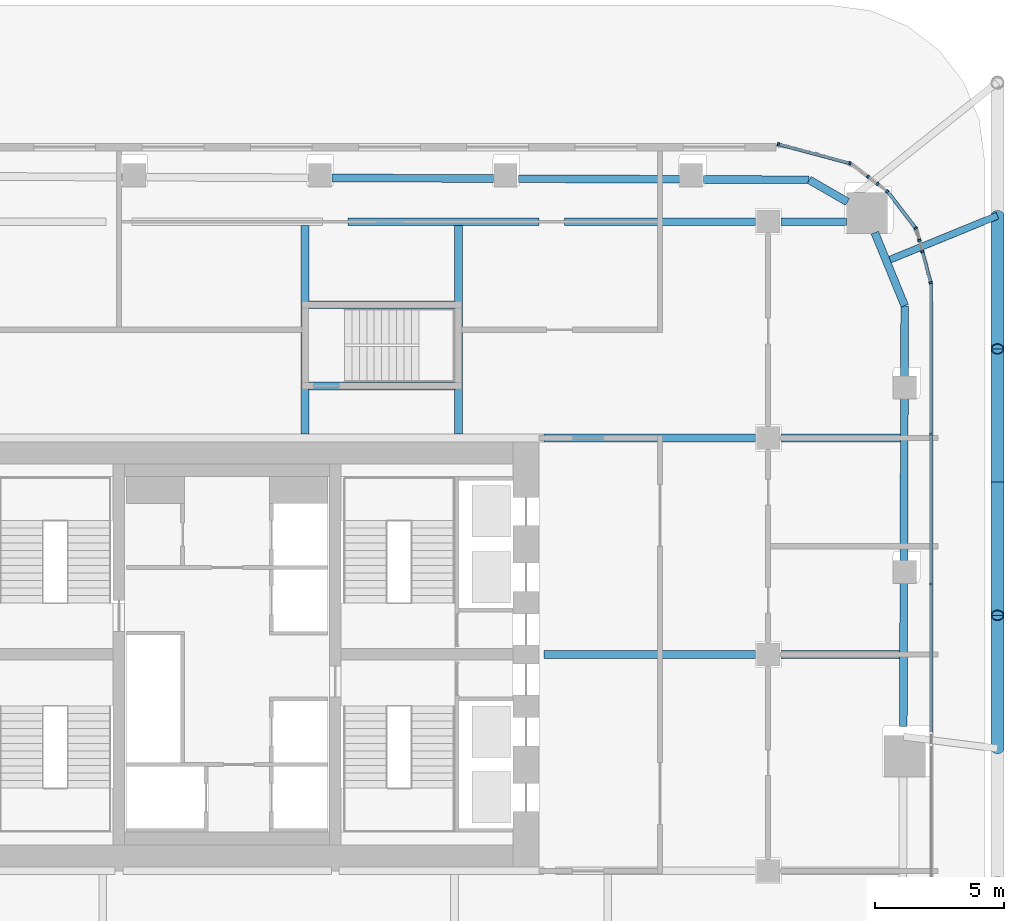
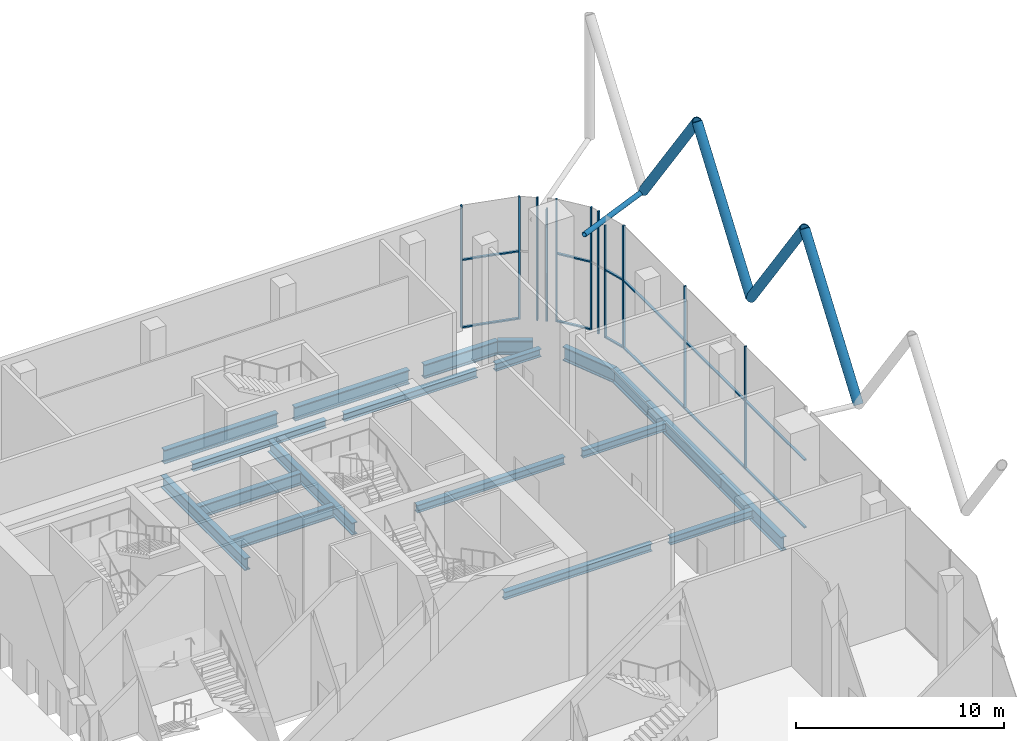
# One storey, part 11 of 34: 28 members, 19 beams, 9 elements without a shape of their own.
"""IFC4 building model written with IfcOpenShell, lengths in metres."""

from ifc_helpers import new_model, si_unit, direction, frame, origin, origin_2d, place, context, subcontext, project, spatial, rectangle, hollow_circle, i_section, extrude, material, layer, layer_set, material_profile, profile_set, type_object, element, aggregate, save


model = new_model("IFC4")

# Units and contexts
model_context = context("Model", 3, precision=1e-05, world=origin(), true_north=direction((0.0, 1.0)))
body_context = subcontext(model_context, "Body", "Model", "MODEL_VIEW")
ifc_project = project(units=[si_unit("LENGTHUNIT", "METRE"), si_unit("AREAUNIT", "SQUARE_METRE"), si_unit("VOLUMEUNIT", "CUBIC_METRE"), si_unit("PLANEANGLEUNIT", "RADIAN"), si_unit("MASSUNIT", "GRAM", prefix="KILO")], contexts=[model_context])

# Site, building, storey
site_placement = place(None, origin())
site = spatial("IfcSite", under=ifc_project, at=site_placement, CompositionType="ELEMENT")
building_placement = place(site_placement, origin())
building = spatial("IfcBuilding", under=site, at=building_placement, Name="Marenta Gate Hotel Tower", CompositionType="ELEMENT")
storey_placement = place(building_placement, frame((0.0, 0.0, 97.699951171875)))
storey = spatial("IfcBuildingStorey", under=building, at=storey_placement, Name="L21", CompositionType="ELEMENT", Elevation=97.699951171875)

# Members
ifc_material_1 = material(Name="Steel S355J2W", Category="steel")
ifc_material_profile_1 = material_profile(ifc_material_1, hollow_circle(Radius=0.25390625, WallThickness=0.0400390625, at=origin_2d()), Name="CHS 508x40")
ifc_profile_set_1 = profile_set([ifc_material_profile_1], Name="Steel S355J2W")
member_type_1 = type_object("IfcMemberType", Name="Diagrid diagonal Z2 CHS 508x40", PredefinedType="BRACE", material=ifc_profile_set_1)
for number, where, z_axis, x_axis, name in (
    (1, (29.89990234375, 25.429931640625, 6.739990234375), (0.0, -0.583260841117, 0.812284919975), (1.0, 0.0, 0.0), "L21-DG-2"),
    (2, (29.89990234375, 15.090087890625, 6.739990234375), (0.0, 0.583260841117, 0.812284919975), (-1.0, 0.0, 0.0), "L21-DG-3"),
):
    element("IfcMember", number, at=place(storey_placement, frame(where, z_axis=z_axis, x_axis=x_axis)), inside=storey, type_object=member_type_1, Name=name, PredefinedType="BRACE", context=body_context, shape_type="SweptSolid", body=[
        extrude(hollow_circle(Radius=0.25390625, WallThickness=0.0400390625, at=origin_2d()), origin(), (0.0, 0.0, 1.0), 8.86376953125),
    ])
member_1_placement = place(storey_placement, frame((29.89990234375, 15.090087890625, 6.739990234375), z_axis=(0.0, -0.583279014058, 0.812271870595), x_axis=(1.0, 0.0, 0.0)))
element("IfcMember", 3, at=member_1_placement, inside=storey, type_object=member_type_1, Name="L21-DG-4", PredefinedType="BRACE", context=body_context, shape_type="SweptSolid", body=[
    extrude(hollow_circle(Radius=0.25390625, WallThickness=0.0400390625, at=origin_2d()), origin(), (0.0, 0.0, 1.0), 8.864013671875),
])
member_2_placement = place(storey_placement, frame((29.89990234375, 4.75, 6.739990234375), z_axis=(0.0, 0.583260841117, 0.812284919975), x_axis=(-1.0, 0.0, 0.0)))
element("IfcMember", 4, at=member_2_placement, inside=storey, type_object=member_type_1, Name="L21-DG-5", PredefinedType="BRACE", context=body_context, shape_type="SweptSolid", body=[
    extrude(hollow_circle(Radius=0.25390625, WallThickness=0.0400390625, at=origin_2d()), origin(), (0.0, 0.0, 1.0), 8.86376953125),
])

# Beams
ifc_material_2 = material(Name="Steel S355", Category="steel")
ifc_material_profile_2 = material_profile(ifc_material_2, i_section(OverallWidth=0.302978515625, OverallDepth=0.81396484375, WebThickness=0.030029296875, FlangeThickness=0.052001953125, FilletRadius=0.030029296875, at=origin_2d()), Name="HEM 800")
ifc_profile_set_2 = profile_set([ifc_material_profile_2], Name="Steel S355")
beam_type_1 = type_object("IfcBeamType", Name="Edge beam HEM 800", PredefinedType="SPANDREL", material=ifc_profile_set_2)
beam_1_placement = place(storey_placement, frame((4.076904296875, 26.896728515625, -0.6669921875), z_axis=(0.999991758258, -0.004059977365, 0.0), x_axis=(0.004059977365, 0.999991758258, 0.0)))
element("IfcBeam", 5, at=beam_1_placement, inside=storey, type_object=beam_type_1, Name="L21-EB-16", PredefinedType="SPANDREL", context=body_context, shape_type="SweptSolid", body=[
    extrude(i_section(OverallWidth=0.302978515625, OverallDepth=0.81396484375, WebThickness=0.030029296875, FlangeThickness=0.052001953125, FilletRadius=0.030029296875, at=origin_2d()), origin(), (0.0, 0.0, 1.0), 6.31396484375),
])
beam_2_placement = place(storey_placement, frame((11.310791015625, 26.867431640625, -0.6669921875), z_axis=(0.999991685616, -0.004077830218, 0.0), x_axis=(0.004077830218, 0.999991685616, 0.0)))
element("IfcBeam", 6, at=beam_2_placement, inside=storey, type_object=beam_type_1, Name="L21-EB-17", PredefinedType="SPANDREL", context=body_context, shape_type="SweptSolid", body=[
    extrude(i_section(OverallWidth=0.302978515625, OverallDepth=0.81396484375, WebThickness=0.030029296875, FlangeThickness=0.052001953125, FilletRadius=0.030029296875, at=origin_2d()), origin(), (0.0, 0.0, 1.0), 6.34619140625),
])
beam_3_placement = place(storey_placement, frame((18.484619140625, 26.838134765625, -0.6669921875), z_axis=(0.999991588842, -0.004101493172, 0.0), x_axis=(0.004101493172, 0.999991588842, 0.0)))
element("IfcBeam", 7, at=beam_3_placement, inside=storey, type_object=beam_type_1, Name="L21-EB-18", PredefinedType="SPANDREL", context=body_context, shape_type="SweptSolid", body=[
    extrude(i_section(OverallWidth=0.302978515625, OverallDepth=0.81396484375, WebThickness=0.030029296875, FlangeThickness=0.052001953125, FilletRadius=0.030029296875, at=origin_2d()), origin(), (0.0, 0.0, 1.0), 4.107177734375),
])
beam_4_placement = place(storey_placement, frame((22.591796875, 26.8212890625, -0.6669921875), z_axis=(0.866045800819, -0.499964669636, 0.0), x_axis=(0.499964669636, 0.866045800819, 0.0)))
element("IfcBeam", 8, at=beam_4_placement, inside=storey, type_object=beam_type_1, Name="L21-EB-19", PredefinedType="SPANDREL", context=body_context, shape_type="SweptSolid", body=[
    extrude(i_section(OverallWidth=0.302978515625, OverallDepth=0.81396484375, WebThickness=0.030029296875, FlangeThickness=0.052001953125, FilletRadius=0.030029296875, at=origin_2d()), origin(), (0.0, 0.0, 1.0), 1.7158203125),
])
beam_5_placement = place(storey_placement, frame((25.138916015625, 24.7724609375, -0.6669921875), z_axis=(0.378682450416, -0.925526661824, 0.0), x_axis=(0.925526661824, 0.378682450416, 0.0)))
element("IfcBeam", 9, at=beam_5_placement, inside=storey, type_object=beam_type_1, Name="L21-EB-20", PredefinedType="SPANDREL", context=body_context, shape_type="SweptSolid", body=[
    extrude(i_section(OverallWidth=0.302978515625, OverallDepth=0.81396484375, WebThickness=0.030029296875, FlangeThickness=0.052001953125, FilletRadius=0.030029296875, at=origin_2d()), origin(), (0.0, 0.0, 1.0), 3.066162109375),
])
beam_6_placement = place(storey_placement, frame((26.300048828125, 21.9345703125, -0.6669921875), z_axis=(-0.003338119631, -0.999994428463, 0.0), x_axis=(0.999994428463, -0.003338119631, 0.0)))
element("IfcBeam", 10, at=beam_6_placement, inside=storey, type_object=beam_type_1, Name="L21-EB-21", PredefinedType="SPANDREL", context=body_context, shape_type="SweptSolid", body=[
    extrude(i_section(OverallWidth=0.302978515625, OverallDepth=0.81396484375, WebThickness=0.030029296875, FlangeThickness=0.052001953125, FilletRadius=0.030029296875, at=origin_2d()), origin(), (0.0, 0.0, 1.0), 3.218017578125),
])
beam_7_placement = place(storey_placement, frame((26.28955078125, 18.79638671875, -0.6669921875), z_axis=(-0.003341527907, -0.99999441708, 0.0), x_axis=(0.99999441708, -0.003341527907, 0.0)))
element("IfcBeam", 11, at=beam_7_placement, inside=storey, type_object=beam_type_1, Name="L21-EB-22", PredefinedType="SPANDREL", context=body_context, shape_type="SweptSolid", body=[
    extrude(i_section(OverallWidth=0.302978515625, OverallDepth=0.81396484375, WebThickness=0.030029296875, FlangeThickness=0.052001953125, FilletRadius=0.030029296875, at=origin_2d()), origin(), (0.0, 0.0, 1.0), 7.233154296875),
])
beam_8_placement = place(storey_placement, frame((26.265625, 11.643310546875, -0.6669921875), z_axis=(-0.003312845428, -0.999994512513, 0.0), x_axis=(0.999994512513, -0.003312845428, 0.0)))
element("IfcBeam", 12, at=beam_8_placement, inside=storey, type_object=beam_type_1, Name="L21-EB-23", PredefinedType="SPANDREL", context=body_context, shape_type="SweptSolid", body=[
    extrude(i_section(OverallWidth=0.302978515625, OverallDepth=0.81396484375, WebThickness=0.030029296875, FlangeThickness=0.052001953125, FilletRadius=0.030029296875, at=origin_2d()), origin(), (0.0, 0.0, 1.0), 6.04296875),
])

# Member
ifc_material_3 = material(Name="Steel S355J2W", Category="steel")
ifc_material_profile_3 = material_profile(ifc_material_3, hollow_circle(Radius=0.136474609375, WallThickness=0.012451171875, at=origin_2d()), Name="CHS 273x12.5")
ifc_profile_set_3 = profile_set([ifc_material_profile_3], Name="Steel S355J2W")
member_type_2 = type_object("IfcMemberType", Name="Floor tie CHS 273x12.5", PredefinedType="STRUT", material=ifc_profile_set_3)
member_3_placement = place(storey_placement, frame((29.89990234375, 25.429931640625, 6.739990234375), z_axis=(-0.925554485394, -0.378614440516, 0.0), x_axis=(0.378614440516, -0.925554485394, 0.0)))
element("IfcMember", 13, at=member_3_placement, inside=storey, type_object=member_type_2, Name="L21-DR-8", PredefinedType="STRUT", context=body_context, shape_type="SweptSolid", body=[
    extrude(hollow_circle(Radius=0.136474609375, WallThickness=0.012451171875, at=origin_2d()), origin(), (0.0, 0.0, 1.0), 4.6484375),
])

# Beams
ifc_material_4 = material(Name="Steel S355", Category="steel")
ifc_material_profile_4 = material_profile(ifc_material_4, i_section(OverallWidth=0.300048828125, OverallDepth=0.449951171875, WebThickness=0.013916015625, FlangeThickness=0.02587890625, FilletRadius=0.027099609375, at=origin_2d()), Name="HEB 450")
ifc_profile_set_4 = profile_set([ifc_material_profile_4], Name="Steel S355")
beam_type_2 = type_object("IfcBeamType", Name="Girder HEB 450", PredefinedType="BEAM", material=ifc_profile_set_4)
beam_9_placement = place(storey_placement, frame((12.300048828125, 8.39990234375, -0.48486328125), z_axis=(1.0, 0.0, 0.0), x_axis=(0.0, 1.0, 0.0)))
element("IfcBeam", 14, at=beam_9_placement, inside=storey, type_object=beam_type_2, Name="L21-GD-25", PredefinedType="BEAM", context=body_context, shape_type="SweptSolid", body=[
    extrude(i_section(OverallWidth=0.300048828125, OverallDepth=0.449951171875, WebThickness=0.013916015625, FlangeThickness=0.02587890625, FilletRadius=0.027099609375, at=origin_2d()), origin(), (0.0, 0.0, 1.0), 8.199951171875),
])
beam_10_placement = place(storey_placement, frame((21.5, 8.39990234375, -0.48486328125), z_axis=(1.0, 0.0, 0.0), x_axis=(0.0, 1.0, 0.0)))
element("IfcBeam", 15, at=beam_10_placement, inside=storey, type_object=beam_type_2, Name="L21-GD-26", PredefinedType="BEAM", context=body_context, shape_type="SweptSolid", body=[
    extrude(i_section(OverallWidth=0.300048828125, OverallDepth=0.449951171875, WebThickness=0.013916015625, FlangeThickness=0.02587890625, FilletRadius=0.027099609375, at=origin_2d()), origin(), (0.0, 0.0, 1.0), 4.603515625),
])
beam_11_placement = place(storey_placement, frame((12.300048828125, 16.800048828125, -0.48486328125), z_axis=(1.0, 0.0, 0.0), x_axis=(0.0, 1.0, 0.0)))
element("IfcBeam", 16, at=beam_11_placement, inside=storey, type_object=beam_type_2, Name="L21-GD-30", PredefinedType="BEAM", context=body_context, shape_type="SweptSolid", body=[
    extrude(i_section(OverallWidth=0.300048828125, OverallDepth=0.449951171875, WebThickness=0.013916015625, FlangeThickness=0.02587890625, FilletRadius=0.027099609375, at=origin_2d()), origin(), (0.0, 0.0, 1.0), 8.199951171875),
])
beam_12_placement = place(storey_placement, frame((21.5, 16.800048828125, -0.48486328125), z_axis=(1.0, 0.0, 0.0), x_axis=(0.0, 1.0, 0.0)))
element("IfcBeam", 17, at=beam_12_placement, inside=storey, type_object=beam_type_2, Name="L21-GD-31", PredefinedType="BEAM", context=body_context, shape_type="SweptSolid", body=[
    extrude(i_section(OverallWidth=0.300048828125, OverallDepth=0.449951171875, WebThickness=0.013916015625, FlangeThickness=0.02587890625, FilletRadius=0.027099609375, at=origin_2d()), origin(), (0.0, 0.0, 1.0), 4.63134765625),
])
beam_13_placement = place(storey_placement, frame((4.699951171875, 25.199951171875, -0.48486328125), z_axis=(1.0, 0.0, 0.0), x_axis=(0.0, 1.0, 0.0)))
element("IfcBeam", 18, at=beam_13_placement, inside=storey, type_object=beam_type_2, Name="L21-GD-36", PredefinedType="BEAM", context=body_context, shape_type="SweptSolid", body=[
    extrude(i_section(OverallWidth=0.300048828125, OverallDepth=0.449951171875, WebThickness=0.013916015625, FlangeThickness=0.02587890625, FilletRadius=0.027099609375, at=origin_2d()), origin(), (0.0, 0.0, 1.0), 7.400146484375),
])
beam_14_placement = place(storey_placement, frame((13.10009765625, 25.199951171875, -0.48486328125), z_axis=(1.0, 0.0, 0.0), x_axis=(0.0, 1.0, 0.0)))
element("IfcBeam", 19, at=beam_14_placement, inside=storey, type_object=beam_type_2, Name="L21-GD-37", PredefinedType="BEAM", context=body_context, shape_type="SweptSolid", body=[
    extrude(i_section(OverallWidth=0.300048828125, OverallDepth=0.449951171875, WebThickness=0.013916015625, FlangeThickness=0.02587890625, FilletRadius=0.027099609375, at=origin_2d()), origin(), (0.0, 0.0, 1.0), 7.39990234375),
])
beam_15_placement = place(storey_placement, frame((21.5, 25.199951171875, -0.48486328125), z_axis=(1.0, 0.0, 0.0), x_axis=(0.0, 1.0, 0.0)))
element("IfcBeam", 20, at=beam_15_placement, inside=storey, type_object=beam_type_2, Name="L21-GD-38", PredefinedType="BEAM", context=body_context, shape_type="SweptSolid", body=[
    extrude(i_section(OverallWidth=0.300048828125, OverallDepth=0.449951171875, WebThickness=0.013916015625, FlangeThickness=0.02587890625, FilletRadius=0.027099609375, at=origin_2d()), origin(), (0.0, 0.0, 1.0), 2.535400390625),
])

# Curtain wall, members
ifc_material_5 = material(Name="Tinted insulated glass in bronze anodised frame", Category="glass")
ifc_layer = layer(ifc_material_5, 0.1298828125)
ifc_layer_set = layer_set([ifc_layer], Name="Tinted insulated glass in bronze anodised frame")
curtain_wall_type = type_object("IfcCurtainWallType", Name="Sky lobby glazing CW2", PredefinedType="NOTDEFINED", material=ifc_layer_set)
curtain_wall_1_placement = place(storey_placement, origin())
curtain_wall_1 = element("IfcCurtainWall", 21, at=curtain_wall_1_placement, inside=storey, type_object=curtain_wall_type, Name="CW2 run G35", PredefinedType="NOTDEFINED")
ifc_material_6 = material(Name="Bronze anodised aluminium", Category="aluminium")
ifc_material_profile_5 = material_profile(ifc_material_6, rectangle(XDim=0.1298828125, YDim=0.080078125, at=origin_2d()), Name="Mullion CW2 80x130 bronze anodised aluminium")
ifc_profile_set_5 = profile_set([ifc_material_profile_5], Name="Bronze anodised aluminium")
member_type_3 = type_object("IfcMemberType", Name="Mullion CW2 80x130 bronze anodised aluminium", PredefinedType="MULLION", material=ifc_profile_set_5)
member_4_placement = place(storey_placement, frame((27.319091796875, 11.1328125, 0.0), z_axis=(0.0, 0.0, 1.0), x_axis=(-1.0, 0.0, 0.0)))
member_4 = element("IfcMember", 22, at=member_4_placement, type_object=member_type_3, Name="CW2 mullion 2", PredefinedType="MULLION", context=body_context, shape_type="SweptSolid", body=[
    extrude(rectangle(XDim=0.1298828125, YDim=0.080078125, at=origin_2d()), origin(), (0.0, 0.0, 1.0), 7.199951171875),
])
member_5_placement = place(storey_placement, frame((27.319091796875, 16.962646484375, 0.0), z_axis=(0.0, 0.0, 1.0), x_axis=(-1.0, 0.0, 0.0)))
member_5 = element("IfcMember", 23, at=member_5_placement, type_object=member_type_3, Name="CW2 mullion 3", PredefinedType="MULLION", context=body_context, shape_type="SweptSolid", body=[
    extrude(rectangle(XDim=0.1298828125, YDim=0.080078125, at=origin_2d()), origin(), (0.0, 0.0, 1.0), 7.199951171875),
])

# Curtain wall, member
curtain_wall_2_placement = place(storey_placement, origin())
curtain_wall_2 = element("IfcCurtainWall", 24, at=curtain_wall_2_placement, inside=storey, type_object=curtain_wall_type, Name="CW2 run G36", PredefinedType="NOTDEFINED")
member_6_placement = place(storey_placement, frame((27.30859375, 22.8310546875, 0.0), z_axis=(0.0, 0.0, 1.0), x_axis=(-0.965936243646, -0.258780163869, 0.0)))
member_6 = element("IfcMember", 25, at=member_6_placement, type_object=member_type_3, Name="CW2 mullion 1", PredefinedType="MULLION", context=body_context, shape_type="SweptSolid", body=[
    extrude(rectangle(XDim=0.1298828125, YDim=0.080078125, at=origin_2d()), origin(), (0.0, 0.0, 1.0), 7.199951171875),
])

curtain_wall_3_placement = place(storey_placement, origin())
curtain_wall_3 = element("IfcCurtainWall", 26, at=curtain_wall_3_placement, inside=storey, type_object=curtain_wall_type, Name="CW2 run G37", PredefinedType="NOTDEFINED")
member_7_placement = place(storey_placement, frame((26.98583984375, 24.0361328125, 0.0), z_axis=(0.0, 0.0, 1.0), x_axis=(-0.965921659399, -0.258834595648, 0.0)))
member_7 = element("IfcMember", 27, at=member_7_placement, type_object=member_type_3, Name="CW2 mullion 1", PredefinedType="MULLION", context=body_context, shape_type="SweptSolid", body=[
    extrude(rectangle(XDim=0.1298828125, YDim=0.080078125, at=origin_2d()), origin(), (0.0, 0.0, 1.0), 6.6005859375),
])
aggregate(curtain_wall_3, [member_7])

curtain_wall_4_placement = place(storey_placement, origin())
curtain_wall_4 = element("IfcCurtainWall", 28, at=curtain_wall_4_placement, inside=storey, type_object=curtain_wall_type, Name="CW2 run G38", PredefinedType="NOTDEFINED")
member_8_placement = place(storey_placement, frame((26.86767578125, 24.47705078125, 0.0), z_axis=(0.0, 0.0, 1.0), x_axis=(-0.965913556273, -0.258864833085, 0.0)))
member_8 = element("IfcMember", 29, at=member_8_placement, type_object=member_type_3, Name="CW2 mullion 1", PredefinedType="MULLION", context=body_context, shape_type="SweptSolid", body=[
    extrude(rectangle(XDim=0.1298828125, YDim=0.080078125, at=origin_2d()), origin(), (0.0, 0.0, 1.0), 7.199951171875),
])
aggregate(curtain_wall_4, [member_8])

curtain_wall_5_placement = place(storey_placement, origin())
curtain_wall_5 = element("IfcCurtainWall", 30, at=curtain_wall_5_placement, inside=storey, type_object=curtain_wall_type, Name="CW2 run G39", PredefinedType="NOTDEFINED")
member_9_placement = place(storey_placement, frame((26.726318359375, 24.9453125, 0.0), z_axis=(0.0, 0.0, 1.0), x_axis=(-0.793346567458, -0.608770255435, 0.0)))
member_9 = element("IfcMember", 31, at=member_9_placement, type_object=member_type_3, Name="CW2 mullion 1", PredefinedType="MULLION", context=body_context, shape_type="SweptSolid", body=[
    extrude(rectangle(XDim=0.1298828125, YDim=0.080078125, at=origin_2d()), origin(), (0.0, 0.0, 1.0), 7.199951171875),
])

curtain_wall_6_placement = place(storey_placement, origin())
curtain_wall_6 = element("IfcCurtainWall", 32, at=curtain_wall_6_placement, inside=storey, type_object=curtain_wall_type, Name="CW2 run G40", PredefinedType="NOTDEFINED")
member_10_placement = place(storey_placement, frame((25.617431640625, 26.37353515625, 0.0), z_axis=(0.0, 0.0, 1.0), x_axis=(-0.608756673512, -0.79335698929, 0.0)))
member_10 = element("IfcMember", 33, at=member_10_placement, type_object=member_type_3, Name="CW2 mullion 1", PredefinedType="MULLION", context=body_context, shape_type="SweptSolid", body=[
    extrude(rectangle(XDim=0.1298828125, YDim=0.080078125, at=origin_2d()), origin(), (0.0, 0.0, 1.0), 7.199951171875),
])
aggregate(curtain_wall_6, [member_10])

curtain_wall_7_placement = place(storey_placement, origin())
curtain_wall_7 = element("IfcCurtainWall", 34, at=curtain_wall_7_placement, inside=storey, type_object=curtain_wall_type, Name="CW2 run G41", PredefinedType="NOTDEFINED")
member_11_placement = place(storey_placement, frame((25.243408203125, 26.660400390625, 0.0), z_axis=(0.0, 0.0, 1.0), x_axis=(-0.608633841438, -0.79345122538, 0.0)))
member_11 = element("IfcMember", 35, at=member_11_placement, type_object=member_type_3, Name="CW2 mullion 1", PredefinedType="MULLION", context=body_context, shape_type="SweptSolid", body=[
    extrude(rectangle(XDim=0.1298828125, YDim=0.080078125, at=origin_2d()), origin(), (0.0, 0.0, 1.0), 6.6005859375),
])
aggregate(curtain_wall_7, [member_11])

curtain_wall_8_placement = place(storey_placement, origin())
curtain_wall_8 = element("IfcCurtainWall", 36, at=curtain_wall_8_placement, inside=storey, type_object=curtain_wall_type, Name="CW2 run G42", PredefinedType="NOTDEFINED")
member_12_placement = place(storey_placement, frame((24.873046875, 26.944580078125, 0.0), z_axis=(0.0, 0.0, 1.0), x_axis=(-0.608850699709, -0.793284832493, 0.0)))
member_12 = element("IfcMember", 37, at=member_12_placement, type_object=member_type_3, Name="CW2 mullion 1", PredefinedType="MULLION", context=body_context, shape_type="SweptSolid", body=[
    extrude(rectangle(XDim=0.1298828125, YDim=0.080078125, at=origin_2d()), origin(), (0.0, 0.0, 1.0), 7.199951171875),
])
aggregate(curtain_wall_8, [member_12])

# Curtain wall, members
curtain_wall_9_placement = place(storey_placement, origin())
curtain_wall_9 = element("IfcCurtainWall", 38, at=curtain_wall_9_placement, inside=storey, type_object=curtain_wall_type, Name="CW2 run G43", PredefinedType="NOTDEFINED")
member_13_placement = place(storey_placement, frame((24.1748046875, 27.4609375, 0.0), z_axis=(0.0, 0.0, 1.0), x_axis=(-0.25879300613, -0.965932803035, 0.0)))
member_13 = element("IfcMember", 39, at=member_13_placement, type_object=member_type_3, Name="CW2 mullion 1", PredefinedType="MULLION", context=body_context, shape_type="SweptSolid", body=[
    extrude(rectangle(XDim=0.1298828125, YDim=0.080078125, at=origin_2d()), origin(), (0.0, 0.0, 1.0), 7.199951171875),
])
member_14_placement = place(storey_placement, frame((21.396484375, 28.20556640625, 0.0), z_axis=(0.0, 0.0, 1.0), x_axis=(-0.25879300613, -0.965932803035, 0.0)))
member_14 = element("IfcMember", 40, at=member_14_placement, type_object=member_type_3, Name="CW2 mullion 2", PredefinedType="MULLION", context=body_context, shape_type="SweptSolid", body=[
    extrude(rectangle(XDim=0.1298828125, YDim=0.080078125, at=origin_2d()), origin(), (0.0, 0.0, 1.0), 7.199951171875),
])

# Beams
ifc_material_7 = material(Name="Steel S355", Category="steel")
ifc_material_profile_6 = material_profile(ifc_material_7, i_section(OverallWidth=0.303955078125, OverallDepth=0.716064453125, WebThickness=0.027099609375, FlangeThickness=0.048095703125, FilletRadius=0.027099609375, at=origin_2d()), Name="HEM 700")
ifc_profile_set_6 = profile_set([ifc_material_profile_6], Name="Steel S355")
beam_type_3 = type_object("IfcBeamType", Name="Stair wall transfer beam HEM 700", PredefinedType="BEAM", material=ifc_profile_set_6)
for number, where, z_axis, x_axis, name in (
    (41, (3.02490234375, 16.949951171875, -0.617919921875), (0.0, 1.0, 0.0), (-1.0, 0.0, 0.0), "L21-XB-RS-Z2-4-a"),
    (42, (8.97509765625, 16.949951171875, -0.617919921875), (0.0, 1.0, 0.0), (-1.0, 0.0, 0.0), "L21-XB-RS-Z2-4-b"),
):
    element("IfcBeam", number, at=place(storey_placement, frame(where, z_axis=z_axis, x_axis=x_axis)), inside=storey, type_object=beam_type_3, Name=name, PredefinedType="BEAM", context=body_context, shape_type="SweptSolid", body=[
        extrude(i_section(OverallWidth=0.303955078125, OverallDepth=0.716064453125, WebThickness=0.027099609375, FlangeThickness=0.048095703125, FilletRadius=0.027099609375, at=origin_2d()), origin(), (0.0, 0.0, 1.0), 8.10009765625),
    ])
for number, where, z_axis, x_axis, name in (
    (43, (3.14990234375, 18.824951171875, -0.617919921875), (1.0, 0.0, 0.0), (0.0, 1.0, 0.0), "L21-XB-RS-Z2-4-c"),
    (44, (3.14990234375, 21.97509765625, -0.617919921875), (1.0, 0.0, 0.0), (0.0, 1.0, 0.0), "L21-XB-RS-Z2-4-d"),
):
    element("IfcBeam", number, at=place(storey_placement, frame(where, z_axis=z_axis, x_axis=x_axis)), inside=storey, type_object=beam_type_3, Name=name, PredefinedType="BEAM", context=body_context, shape_type="SweptSolid", body=[
        extrude(i_section(OverallWidth=0.303955078125, OverallDepth=0.716064453125, WebThickness=0.027099609375, FlangeThickness=0.048095703125, FilletRadius=0.027099609375, at=origin_2d()), origin(), (0.0, 0.0, 1.0), 5.7001953125),
    ])

# Member
ifc_material_8 = material(Name="Bronze anodised aluminium", Category="aluminium")
ifc_material_profile_7 = material_profile(ifc_material_8, rectangle(XDim=0.1298828125, YDim=0.080078125, at=origin_2d()), Name="Transom CW2 80x130 bronze anodised aluminium")
ifc_profile_set_7 = profile_set([ifc_material_profile_7], Name="Bronze anodised aluminium")
member_type_4 = type_object("IfcMemberType", Name="Transom CW2 80x130 bronze anodised aluminium", PredefinedType="USERDEFINED", material=ifc_profile_set_7)
member_15_placement = place(storey_placement, frame((27.319091796875, 5.383056640625, 0.0400390625), z_axis=(0.0, 1.0, 0.0), x_axis=(-1.0, 0.0, 0.0)))
member_15 = element("IfcMember", 45, at=member_15_placement, type_object=member_type_4, Name="CW2 transom 1.1", ObjectType="TRANSOM", PredefinedType="USERDEFINED", context=body_context, shape_type="SweptSolid", body=[
    extrude(rectangle(XDim=0.1298828125, YDim=0.080078125, at=origin_2d()), origin(), (0.0, 0.0, 1.0), 5.7099609375),
])

member_16_placement = place(storey_placement, frame((27.319091796875, 5.383056640625, 4.0), z_axis=(0.0, 1.0, 0.0), x_axis=(-1.0, 0.0, 0.0)))
member_16 = element("IfcMember", 46, at=member_16_placement, type_object=member_type_4, Name="CW2 transom 1.2", ObjectType="TRANSOM", PredefinedType="USERDEFINED", context=body_context, shape_type="SweptSolid", body=[
    extrude(rectangle(XDim=0.1298828125, YDim=0.080078125, at=origin_2d()), origin(), (0.0, 0.0, 1.0), 5.7099609375),
])

member_17_placement = place(storey_placement, frame((27.319091796875, 11.1728515625, 0.0400390625), z_axis=(0.0, 1.0, 0.0), x_axis=(-1.0, 0.0, 0.0)))
member_17 = element("IfcMember", 47, at=member_17_placement, type_object=member_type_4, Name="CW2 transom 2.1", ObjectType="TRANSOM", PredefinedType="USERDEFINED", context=body_context, shape_type="SweptSolid", body=[
    extrude(rectangle(XDim=0.1298828125, YDim=0.080078125, at=origin_2d()), origin(), (0.0, 0.0, 1.0), 5.749755859375),
])

member_18_placement = place(storey_placement, frame((27.319091796875, 11.1728515625, 4.0), z_axis=(0.0, 1.0, 0.0), x_axis=(-1.0, 0.0, 0.0)))
member_18 = element("IfcMember", 48, at=member_18_placement, type_object=member_type_4, Name="CW2 transom 2.2", ObjectType="TRANSOM", PredefinedType="USERDEFINED", context=body_context, shape_type="SweptSolid", body=[
    extrude(rectangle(XDim=0.1298828125, YDim=0.080078125, at=origin_2d()), origin(), (0.0, 0.0, 1.0), 5.749755859375),
])

member_19_placement = place(storey_placement, frame((27.319091796875, 17.002685546875, 0.0400390625), z_axis=(0.0, 1.0, 0.0), x_axis=(-1.0, 0.0, 0.0)))
member_19 = element("IfcMember", 49, at=member_19_placement, type_object=member_type_4, Name="CW2 transom 3.1", ObjectType="TRANSOM", PredefinedType="USERDEFINED", context=body_context, shape_type="SweptSolid", body=[
    extrude(rectangle(XDim=0.1298828125, YDim=0.080078125, at=origin_2d()), origin(), (0.0, 0.0, 1.0), 5.789794921875),
])

member_20_placement = place(storey_placement, frame((27.319091796875, 17.002685546875, 4.0), z_axis=(0.0, 1.0, 0.0), x_axis=(-1.0, 0.0, 0.0)))
member_20 = element("IfcMember", 50, at=member_20_placement, type_object=member_type_4, Name="CW2 transom 3.2", ObjectType="TRANSOM", PredefinedType="USERDEFINED", context=body_context, shape_type="SweptSolid", body=[
    extrude(rectangle(XDim=0.1298828125, YDim=0.080078125, at=origin_2d()), origin(), (0.0, 0.0, 1.0), 5.789794921875),
])

aggregate(curtain_wall_1, [member_4, member_5, member_15, member_16, member_17, member_18, member_19, member_20])

member_21_placement = place(storey_placement, frame((27.29833984375, 22.869873046875, 0.0400390625), z_axis=(-0.25893820594, 0.965893889361, 0.0), x_axis=(-0.965893889361, -0.25893820594, 0.0)))
member_21 = element("IfcMember", 51, at=member_21_placement, type_object=member_type_4, Name="CW2 transom 1.1", ObjectType="TRANSOM", PredefinedType="USERDEFINED", context=body_context, shape_type="SweptSolid", body=[
    extrude(rectangle(XDim=0.1298828125, YDim=0.080078125, at=origin_2d()), origin(), (0.0, 0.0, 1.0), 1.167236328125),
])

member_22_placement = place(storey_placement, frame((27.29833984375, 22.869873046875, 4.0), z_axis=(-0.25893820594, 0.965893889361, 0.0), x_axis=(-0.965893889361, -0.25893820594, 0.0)))
member_22 = element("IfcMember", 52, at=member_22_placement, type_object=member_type_4, Name="CW2 transom 1.2", ObjectType="TRANSOM", PredefinedType="USERDEFINED", context=body_context, shape_type="SweptSolid", body=[
    extrude(rectangle(XDim=0.1298828125, YDim=0.080078125, at=origin_2d()), origin(), (0.0, 0.0, 1.0), 1.167236328125),
])

aggregate(curtain_wall_2, [member_6, member_21, member_22])

member_23_placement = place(storey_placement, frame((26.701904296875, 24.97705078125, 0.0400390625), z_axis=(-0.608727870698, 0.793379089361, 0.0), x_axis=(-0.793379089361, -0.608727870698, 0.0)))
member_23 = element("IfcMember", 53, at=member_23_placement, type_object=member_type_4, Name="CW2 transom 1.1", ObjectType="TRANSOM", PredefinedType="USERDEFINED", context=body_context, shape_type="SweptSolid", body=[
    extrude(rectangle(XDim=0.1298828125, YDim=0.080078125, at=origin_2d()), origin(), (0.0, 0.0, 1.0), 1.7294921875),
])

member_24_placement = place(storey_placement, frame((26.701904296875, 24.97705078125, 4.0), z_axis=(-0.608727870698, 0.793379089361, 0.0), x_axis=(-0.793379089361, -0.608727870698, 0.0)))
member_24 = element("IfcMember", 54, at=member_24_placement, type_object=member_type_4, Name="CW2 transom 1.2", ObjectType="TRANSOM", PredefinedType="USERDEFINED", context=body_context, shape_type="SweptSolid", body=[
    extrude(rectangle(XDim=0.1298828125, YDim=0.080078125, at=origin_2d()), origin(), (0.0, 0.0, 1.0), 1.7294921875),
])

aggregate(curtain_wall_5, [member_9, member_23, member_24])

member_25_placement = place(storey_placement, frame((24.13623046875, 27.471435546875, 0.0400390625), z_axis=(-0.965938699585, 0.258770996527, 0.0), x_axis=(-0.258770996527, -0.965938699585, 0.0)))
member_25 = element("IfcMember", 55, at=member_25_placement, type_object=member_type_4, Name="CW2 transom 1.1", ObjectType="TRANSOM", PredefinedType="USERDEFINED", context=body_context, shape_type="SweptSolid", body=[
    extrude(rectangle(XDim=0.1298828125, YDim=0.080078125, at=origin_2d()), origin(), (0.0, 0.0, 1.0), 2.79638671875),
])

member_26_placement = place(storey_placement, frame((24.13623046875, 27.471435546875, 4.0), z_axis=(-0.965938699585, 0.258770996527, 0.0), x_axis=(-0.258770996527, -0.965938699585, 0.0)))
member_26 = element("IfcMember", 56, at=member_26_placement, type_object=member_type_4, Name="CW2 transom 1.2", ObjectType="TRANSOM", PredefinedType="USERDEFINED", context=body_context, shape_type="SweptSolid", body=[
    extrude(rectangle(XDim=0.1298828125, YDim=0.080078125, at=origin_2d()), origin(), (0.0, 0.0, 1.0), 2.79638671875),
])

aggregate(curtain_wall_9, [member_13, member_14, member_25, member_26])

save(model, "model.ifc")
